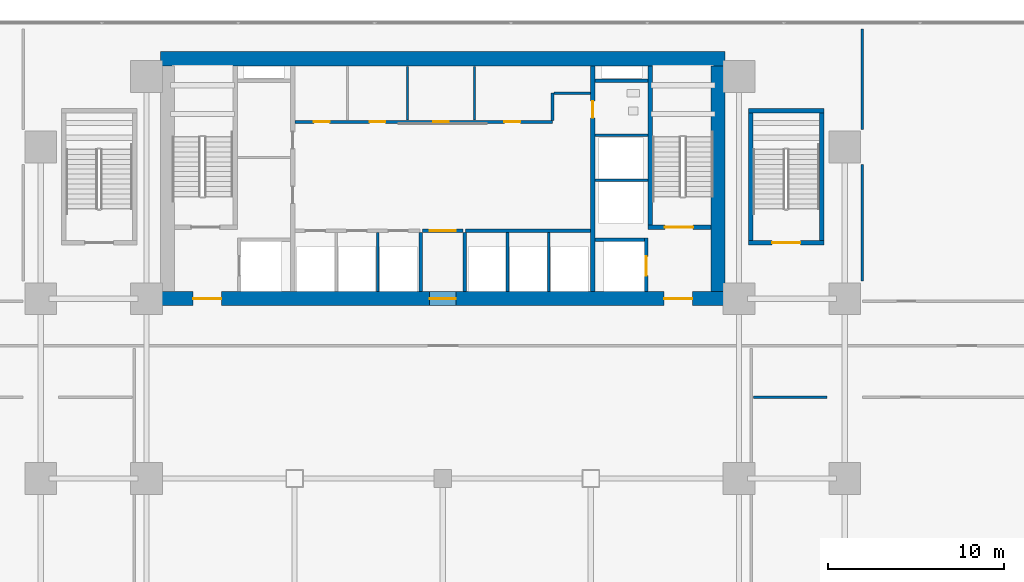
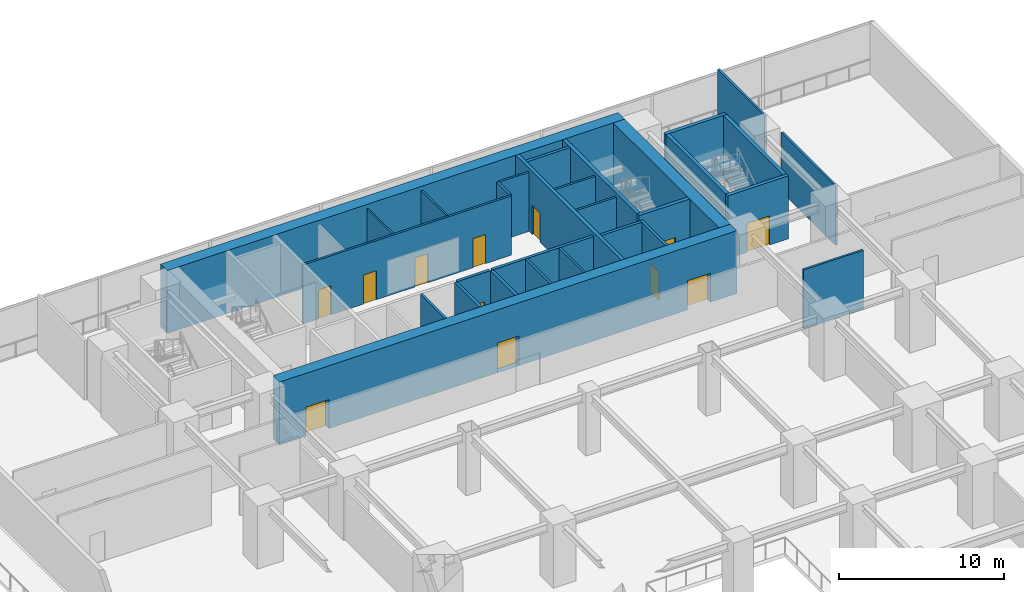
# One storey, part 10 of 17: 30 walls, 12 doors, 12 openings.
"""IFC4 building model written with IfcOpenShell, lengths in metres."""

from ifc_helpers import new_model, si_unit, direction, frame, frame_2d, origin, place, context, subcontext, project, spatial, rectangle, extrude, source, transform, mapped, material, layer, layer_set, type_object, element, fill, save


model = new_model("IFC4")

# Units and contexts
model_context = context("Model", 3, precision=1e-05, world=origin(), true_north=direction((0.0, 1.0)))
body_context = subcontext(model_context, "Body", "Model", "MODEL_VIEW")
ifc_project = project(units=[si_unit("LENGTHUNIT", "METRE"), si_unit("AREAUNIT", "SQUARE_METRE"), si_unit("VOLUMEUNIT", "CUBIC_METRE"), si_unit("PLANEANGLEUNIT", "RADIAN"), si_unit("MASSUNIT", "GRAM", prefix="KILO")], contexts=[model_context])

# Site, building, storey
site_placement = place(None, origin())
site = spatial("IfcSite", under=ifc_project, at=site_placement, CompositionType="ELEMENT")
building_placement = place(site_placement, origin())
building = spatial("IfcBuilding", under=site, at=building_placement, Name="Sumidabori Civic Tower", CompositionType="ELEMENT")
storey_placement = place(building_placement, frame((0.0, 0.0, 9.64990234375)))
storey = spatial("IfcBuildingStorey", under=building, at=storey_placement, Name="L02", CompositionType="ELEMENT", Elevation=9.64990234375)

# Wall
ifc_material_1 = material(Name="Concrete C60/75", Category="concrete")
ifc_layer_1 = layer(ifc_material_1, 0.800048828125, Name="Concrete C60/75")
ifc_layer_set_1 = layer_set([ifc_layer_1], Name="Concrete C60/75")
wall_type_1 = type_object("IfcWallType", Name="WL-CORE-800", PredefinedType="SHEAR", material=ifc_layer_set_1)
shared_shape_1 = source(origin(), body_context, "Body", "SweptSolid", [
    extrude(rectangle(XDim=32.0, YDim=0.800048828125, at=frame_2d((16.0, 0.0))), origin(), (0.0, 0.0, 1.0), 4.650146484375),
])
wall_1_placement = place(storey_placement, frame((-16.0, 23.800048828125, 0.0), z_axis=(0.0, 0.0, 1.0), x_axis=(1.0, 0.0, 0.0)))
element("IfcWall", 1, at=wall_1_placement, inside=storey, type_object=wall_type_1, Name="Core Shear Wall L02 N", PredefinedType="SHEAR", context=body_context, shape_type="MappedRepresentation", body=[
    mapped(shared_shape_1, transform((0.0, 0.0, 0.0), x_axis=(1.0, 0.0, 0.0), y_axis=(0.0, 1.0, 0.0), z_axis=(0.0, 0.0, 1.0), scale=1.0)),
])

# Wall, openings, doors
wall_2_placement = place(storey_placement, frame((-16.0, 10.199951171875, 0.0), z_axis=(0.0, 0.0, 1.0), x_axis=(1.0, 0.0, 0.0)))
wall_2 = element("IfcWall", 2, at=wall_2_placement, inside=storey, type_object=wall_type_1, Name="Core Shear Wall L02 S", PredefinedType="SHEAR", context=body_context, shape_type="MappedRepresentation", body=[
    mapped(shared_shape_1, transform((0.0, 0.0, 0.0), x_axis=(1.0, 0.0, 0.0), y_axis=(0.0, 1.0, 0.0), z_axis=(0.0, 0.0, 1.0), scale=1.0)),
])
opening_1_placement = place(wall_2_placement, frame((1.85009765625, 0.0, 0.0)))
opening_1 = element("IfcOpeningElement", 3, at=opening_1_placement, cuts=wall_2, Name="Opening DR-FD4", PredefinedType="OPENING", context=body_context, shape_type="SweptSolid", body=[
    extrude(rectangle(XDim=1.60009765625, YDim=2.14990234375, at=frame_2d((0.800048828125, 1.074951171875))), frame((0.0, 0.412109375, 0.0), z_axis=(0.0, -1.0, 0.0), x_axis=(1.0, 0.0, 0.0)), (0.0, 0.0, 1.0), 0.823974609375),
])
opening_2_placement = place(wall_2_placement, frame((28.550048828125, 0.0, 0.0)))
opening_2 = element("IfcOpeningElement", 4, at=opening_2_placement, cuts=wall_2, Name="Opening DR-FD4", PredefinedType="OPENING", context=body_context, shape_type="SweptSolid", body=[
    extrude(rectangle(XDim=1.60009765625, YDim=2.14990234375, at=frame_2d((0.800048828125, 1.074951171875))), frame((0.0, 0.412109375, 0.0), z_axis=(0.0, -1.0, 0.0), x_axis=(1.0, 0.0, 0.0)), (0.0, 0.0, 1.0), 0.823974609375),
])
opening_3_placement = place(wall_2_placement, frame((15.25, 0.0, 0.0)))
opening_3 = element("IfcOpeningElement", 5, at=opening_3_placement, cuts=wall_2, Name="Opening DR-FD3", PredefinedType="OPENING", context=body_context, shape_type="SweptSolid", body=[
    extrude(rectangle(XDim=1.5, YDim=2.199951171875, at=frame_2d((0.75, 1.10009765625))), frame((0.0, 0.412109375, 0.0), z_axis=(0.0, -1.0, 0.0), x_axis=(1.0, 0.0, 0.0)), (0.0, 0.0, 1.0), 0.823974609375),
])
ifc_material_2 = material(Name="Steel SN490", Category="steel")
door_type_1 = type_object("IfcDoorType", Name="DR-FD4", OperationType="DOUBLE_DOOR_SINGLE_SWING", PredefinedType="DOOR", material=ifc_material_2)
shared_shape_2 = source(origin(), body_context, "Body", "SweptSolid", [
    extrude(rectangle(XDim=1.60009765625, YDim=2.14990234375, at=frame_2d((0.800048828125, 1.074951171875))), frame((0.0, 0.02490234375, 0.0), z_axis=(0.0, -1.0, 0.0), x_axis=(1.0, 0.0, 0.0)), (0.0, 0.0, 1.0), 0.050048828125),
])
door_1_placement = place(opening_1_placement, origin())
door_1 = element("IfcDoor", 6, at=door_1_placement, inside=storey, type_object=door_type_1, Name="Door DR:L02:ELOB-W", OperationType="DOUBLE_DOOR_SINGLE_SWING", OverallHeight=2.14990234375, OverallWidth=1.60009765625, PredefinedType="DOOR", context=body_context, shape_type="MappedRepresentation", body=[
    mapped(shared_shape_2, transform((0.0, 0.0, 0.0), x_axis=(1.0, 0.0, 0.0), y_axis=(0.0, 1.0, 0.0), z_axis=(0.0, 0.0, 1.0), scale=1.0)),
])
fill(opening_1, door_1)
door_2_placement = place(opening_2_placement, origin())
door_2 = element("IfcDoor", 7, at=door_2_placement, inside=storey, type_object=door_type_1, Name="Door DR:L02:ELOB-E", OperationType="DOUBLE_DOOR_SINGLE_SWING", OverallHeight=2.14990234375, OverallWidth=1.60009765625, PredefinedType="DOOR", context=body_context, shape_type="MappedRepresentation", body=[
    mapped(shared_shape_2, transform((0.0, 0.0, 0.0), x_axis=(1.0, 0.0, 0.0), y_axis=(0.0, 1.0, 0.0), z_axis=(0.0, 0.0, 1.0), scale=1.0)),
])
fill(opening_2, door_2)
door_type_2 = type_object("IfcDoorType", Name="DR-FD-DBL", OperationType="DOUBLE_DOOR_SINGLE_SWING", PredefinedType="DOOR", material=ifc_material_2)
shared_shape_3 = source(origin(), body_context, "Body", "SweptSolid", [
    extrude(rectangle(XDim=1.5, YDim=2.199951171875, at=frame_2d((0.75, 1.10009765625))), frame((0.0, 0.02490234375, 0.0), z_axis=(0.0, -1.0, 0.0), x_axis=(1.0, 0.0, 0.0)), (0.0, 0.0, 1.0), 0.050048828125),
])
door_3_placement = place(opening_3_placement, origin())
door_3 = element("IfcDoor", 8, at=door_3_placement, inside=storey, type_object=door_type_2, Name="Door DR:L02:THROAT-OUT", OperationType="DOUBLE_DOOR_SINGLE_SWING", OverallHeight=2.199951171875, OverallWidth=1.5, PredefinedType="DOOR", context=body_context, shape_type="MappedRepresentation", body=[
    mapped(shared_shape_3, transform((0.0, 0.0, 0.0), x_axis=(1.0, 0.0, 0.0), y_axis=(0.0, 1.0, 0.0), z_axis=(0.0, 0.0, 1.0), scale=1.0)),
])
fill(opening_3, door_3)

# Wall
shared_shape_4 = source(origin(), body_context, "Body", "SweptSolid", [
    extrude(rectangle(XDim=12.7998046875, YDim=0.800048828125, at=frame_2d((6.39990234375, 0.0))), origin(), (0.0, 0.0, 1.0), 4.650146484375),
])
wall_3_placement = place(storey_placement, frame((15.60009765625, 10.60009765625, 0.0), z_axis=(0.0, 0.0, 1.0), x_axis=(0.0, 1.0, 0.0)))
element("IfcWall", 9, at=wall_3_placement, inside=storey, type_object=wall_type_1, Name="Core Shear Wall L02 E", PredefinedType="SHEAR", context=body_context, shape_type="MappedRepresentation", body=[
    mapped(shared_shape_4, transform((0.0, 0.0, 0.0), x_axis=(1.0, 0.0, 0.0), y_axis=(0.0, 1.0, 0.0), z_axis=(0.0, 0.0, 1.0), scale=1.0)),
])

# Wall, opening, door
ifc_material_3 = material(Name="Concrete C50/60", Category="concrete")
ifc_layer_2 = layer(ifc_material_3, 0.25, Name="Concrete C50/60")
ifc_layer_set_2 = layer_set([ifc_layer_2], Name="Concrete C50/60")
wall_type_2 = type_object("IfcWallType", Name="WL-SHAFT-250", PredefinedType="SHEAR", material=ifc_layer_set_2)
shared_shape_5 = source(origin(), body_context, "Body", "SweptSolid", [
    extrude(rectangle(XDim=12.7998046875, YDim=0.25, at=frame_2d((6.39990234375, 0.0))), origin(), (0.0, 0.0, 1.0), 4.650146484375),
])
wall_4_placement = place(storey_placement, frame((8.5, 10.60009765625, 0.0), z_axis=(0.0, 0.0, 1.0), x_axis=(0.0, 1.0, 0.0)))
wall_4 = element("IfcWall", 10, at=wall_4_placement, inside=storey, type_object=wall_type_2, Name="Core Shear Wall L02 WEB-E", PredefinedType="SHEAR", context=body_context, shape_type="MappedRepresentation", body=[
    mapped(shared_shape_5, transform((0.0, 0.0, 0.0), x_axis=(1.0, 0.0, 0.0), y_axis=(0.0, 1.0, 0.0), z_axis=(0.0, 0.0, 1.0), scale=1.0)),
])
opening_4_placement = place(wall_4_placement, frame((9.85009765625, 0.0, 0.0)))
opening_4 = element("IfcOpeningElement", 11, at=opening_4_placement, cuts=wall_4, Name="Opening DR-2", PredefinedType="OPENING", context=body_context, shape_type="SweptSolid", body=[
    extrude(rectangle(XDim=0.949951171875, YDim=2.14990234375, at=frame_2d((0.47509765625, 1.074951171875))), frame((0.0, 0.136962890625, 0.0), z_axis=(0.0, -1.0, 0.0), x_axis=(1.0, 0.0, 0.0)), (0.0, 0.0, 1.0), 0.27392578125),
])
ifc_material_4 = material(Name="Japanese Hinoki Timber", Category="wood")
door_type_3 = type_object("IfcDoorType", Name="DR-INT-950", OperationType="NOTDEFINED", PredefinedType="DOOR", material=ifc_material_4)
shared_shape_6 = source(origin(), body_context, "Body", "SweptSolid", [
    extrude(rectangle(XDim=0.949951171875, YDim=2.14990234375, at=frame_2d((0.47509765625, 1.074951171875))), frame((0.0, 0.02490234375, 0.0), z_axis=(0.0, -1.0, 0.0), x_axis=(1.0, 0.0, 0.0)), (0.0, 0.0, 1.0), 0.050048828125),
])
door_4_placement = place(opening_4_placement, origin())
door_4 = element("IfcDoor", 12, at=door_4_placement, inside=storey, type_object=door_type_3, Name="Door DR:L02:WC-ACC", OperationType="SINGLE_SWING_RIGHT", OverallHeight=2.14990234375, OverallWidth=0.949951171875, PredefinedType="DOOR", context=body_context, shape_type="MappedRepresentation", body=[
    mapped(shared_shape_6, transform((0.0, 0.0, 0.0), x_axis=(1.0, 0.0, 0.0), y_axis=(0.0, 1.0, 0.0), z_axis=(0.0, 0.0, 1.0), scale=1.0)),
])
fill(opening_4, door_4)

shared_shape_7 = source(origin(), body_context, "Body", "SweptSolid", [
    extrude(rectangle(XDim=3.554931640625, YDim=0.25, at=frame_2d((1.77734375, 0.0))), origin(), (0.0, 0.0, 1.0), 4.650146484375),
])
wall_5_placement = place(storey_placement, frame((11.64501953125, 14.25, 0.0), z_axis=(0.0, 0.0, 1.0), x_axis=(1.0, 0.0, 0.0)))
wall_5 = element("IfcWall", 13, at=wall_5_placement, inside=storey, type_object=wall_type_2, Name="Core Shear Wall L02 ST2-S", PredefinedType="SHEAR", context=body_context, shape_type="MappedRepresentation", body=[
    mapped(shared_shape_7, transform((0.0, 0.0, 0.0), x_axis=(1.0, 0.0, 0.0), y_axis=(0.0, 1.0, 0.0), z_axis=(0.0, 0.0, 1.0), scale=1.0)),
])
opening_5_placement = place(wall_5_placement, frame((0.949951171875, 0.0, 0.0)))
opening_5 = element("IfcOpeningElement", 14, at=opening_5_placement, cuts=wall_5, Name="Opening DR-FD4", PredefinedType="OPENING", context=body_context, shape_type="SweptSolid", body=[
    extrude(rectangle(XDim=1.60009765625, YDim=2.14990234375, at=frame_2d((0.800048828125, 1.074951171875))), frame((0.0, 0.136962890625, 0.0), z_axis=(0.0, -1.0, 0.0), x_axis=(1.0, 0.0, 0.0)), (0.0, 0.0, 1.0), 0.27392578125),
])
door_5_placement = place(opening_5_placement, origin())
door_5 = element("IfcDoor", 15, at=door_5_placement, inside=storey, type_object=door_type_1, Name="Door DR:L02:ST2", OperationType="DOUBLE_DOOR_SINGLE_SWING", OverallHeight=2.14990234375, OverallWidth=1.60009765625, PredefinedType="DOOR", context=body_context, shape_type="MappedRepresentation", body=[
    mapped(shared_shape_2, transform((0.0, 0.0, 0.0), x_axis=(1.0, 0.0, 0.0), y_axis=(0.0, 1.0, 0.0), z_axis=(0.0, 0.0, 1.0), scale=1.0)),
])
fill(opening_5, door_5)

# Wall
shared_shape_8 = source(origin(), body_context, "Body", "SweptSolid", [
    extrude(rectangle(XDim=9.02490234375, YDim=0.25, at=frame_2d((4.512451171875, 0.0))), origin(), (0.0, 0.0, 1.0), 4.650146484375),
])
wall_6_placement = place(storey_placement, frame((11.77001953125, 14.375, 0.0), z_axis=(0.0, 0.0, 1.0), x_axis=(0.0, 1.0, 0.0)))
element("IfcWall", 16, at=wall_6_placement, inside=storey, type_object=wall_type_2, Name="Core Shear Wall L02 ST2-W", PredefinedType="SHEAR", context=body_context, shape_type="MappedRepresentation", body=[
    mapped(shared_shape_8, transform((0.0, 0.0, 0.0), x_axis=(1.0, 0.0, 0.0), y_axis=(0.0, 1.0, 0.0), z_axis=(0.0, 0.0, 1.0), scale=1.0)),
])

# Wall, opening, door
ifc_layer_3 = layer(ifc_material_3, 0.199951171875, Name="Concrete C50/60")
ifc_layer_set_3 = layer_set([ifc_layer_3], Name="Concrete C50/60")
wall_type_3 = type_object("IfcWallType", Name="WL-SHAFT-200", PredefinedType="SHEAR", material=ifc_layer_set_3)
shared_shape_9 = source(origin(), body_context, "Body", "SweptSolid", [
    extrude(rectangle(XDim=3.0498046875, YDim=0.199951171875, at=frame_2d((1.52490234375, 0.0))), origin(), (0.0, 0.0, 1.0), 4.650146484375),
])
wall_7_placement = place(storey_placement, frame((11.550048828125, 10.60009765625, 0.0), z_axis=(0.0, 0.0, 1.0), x_axis=(0.0, 1.0, 0.0)))
wall_7 = element("IfcWall", 17, at=wall_7_placement, inside=storey, type_object=wall_type_3, Name="Core Shear Wall L02 EL2-E", PredefinedType="SHEAR", context=body_context, shape_type="MappedRepresentation", body=[
    mapped(shared_shape_9, transform((0.0, 0.0, 0.0), x_axis=(1.0, 0.0, 0.0), y_axis=(0.0, 1.0, 0.0), z_axis=(0.0, 0.0, 1.0), scale=1.0)),
])
opening_6_placement = place(wall_7_placement, frame((0.89990234375, 0.0, 0.0)))
opening_6 = element("IfcOpeningElement", 18, at=opening_6_placement, cuts=wall_7, Name="Opening LD-2", PredefinedType="OPENING", context=body_context, shape_type="SweptSolid", body=[
    extrude(rectangle(XDim=1.10009765625, YDim=2.14990234375, at=frame_2d((0.550048828125, 1.074951171875))), frame((0.0, 0.11181640625, 0.0), z_axis=(0.0, -1.0, 0.0), x_axis=(1.0, 0.0, 0.0)), (0.0, 0.0, 1.0), 0.223876953125),
])
ifc_material_5 = material(Name="Stainless Steel Hairline Finish", Category="steel")
door_type_4 = type_object("IfcDoorType", Name="DR-LD2", OperationType="DOUBLE_DOOR_SLIDING", PredefinedType="DOOR", material=ifc_material_5)
shared_shape_10 = source(origin(), body_context, "Body", "SweptSolid", [
    extrude(rectangle(XDim=1.10009765625, YDim=2.14990234375, at=frame_2d((0.550048828125, 1.074951171875))), frame((0.0, 0.02490234375, 0.0), z_axis=(0.0, -1.0, 0.0), x_axis=(1.0, 0.0, 0.0)), (0.0, 0.0, 1.0), 0.050048828125),
])
door_6_placement = place(opening_6_placement, origin())
door_6 = element("IfcDoor", 19, at=door_6_placement, inside=storey, type_object=door_type_4, Name="Door DR:L02:LD-EL2", OperationType="DOUBLE_DOOR_SLIDING", OverallHeight=2.14990234375, OverallWidth=1.10009765625, PredefinedType="DOOR", context=body_context, shape_type="MappedRepresentation", body=[
    mapped(shared_shape_10, transform((0.0, 0.0, 0.0), x_axis=(1.0, 0.0, 0.0), y_axis=(0.0, 1.0, 0.0), z_axis=(0.0, 0.0, 1.0), scale=1.0)),
])
fill(opening_6, door_6)

# Walls
shared_shape_11 = source(origin(), body_context, "Body", "SweptSolid", [
    extrude(rectangle(XDim=2.824951171875, YDim=0.199951171875, at=frame_2d((1.41259765625, 0.0))), origin(), (0.0, 0.0, 1.0), 4.650146484375),
])
wall_8_placement = place(storey_placement, frame((8.625, 13.550048828125, 0.0), z_axis=(0.0, 0.0, 1.0), x_axis=(1.0, 0.0, 0.0)))
element("IfcWall", 20, at=wall_8_placement, inside=storey, type_object=wall_type_3, Name="Core Shear Wall L02 EL2-N", PredefinedType="SHEAR", context=body_context, shape_type="MappedRepresentation", body=[
    mapped(shared_shape_11, transform((0.0, 0.0, 0.0), x_axis=(1.0, 0.0, 0.0), y_axis=(0.0, 1.0, 0.0), z_axis=(0.0, 0.0, 1.0), scale=1.0)),
])
shared_shape_12 = source(origin(), body_context, "Body", "SweptSolid", [
    extrude(rectangle(XDim=3.02001953125, YDim=0.199951171875, at=frame_2d((1.510009765625, 0.0))), origin(), (0.0, 0.0, 1.0), 4.650146484375),
])
wall_9_placement = place(storey_placement, frame((8.625, 22.550048828125, 0.0), z_axis=(0.0, 0.0, 1.0), x_axis=(1.0, 0.0, 0.0)))
element("IfcWall", 21, at=wall_9_placement, inside=storey, type_object=wall_type_3, Name="Core Shear Wall L02 RIS2-S", PredefinedType="SHEAR", context=body_context, shape_type="MappedRepresentation", body=[
    mapped(shared_shape_12, transform((0.0, 0.0, 0.0), x_axis=(1.0, 0.0, 0.0), y_axis=(0.0, 1.0, 0.0), z_axis=(0.0, 0.0, 1.0), scale=1.0)),
])
shared_shape_13 = source(origin(), body_context, "Body", "SweptSolid", [
    extrude(rectangle(XDim=4.260009765625, YDim=0.25, at=frame_2d((2.1298828125, 0.0))), origin(), (0.0, 0.0, 1.0), 4.650146484375),
])
wall_10_placement = place(storey_placement, frame((17.35009765625, 20.864990234375, 0.0), z_axis=(0.0, 0.0, 1.0), x_axis=(1.0, 0.0, 0.0)))
element("IfcWall", 22, at=wall_10_placement, inside=storey, type_object=wall_type_2, Name="Core Shear Wall L02 ST4-N", PredefinedType="SHEAR", context=body_context, shape_type="MappedRepresentation", body=[
    mapped(shared_shape_13, transform((0.0, 0.0, 0.0), x_axis=(1.0, 0.0, 0.0), y_axis=(0.0, 1.0, 0.0), z_axis=(0.0, 0.0, 1.0), scale=1.0)),
])

# Wall, opening, door
wall_11_placement = place(storey_placement, frame((17.35009765625, 13.375, 0.0), z_axis=(0.0, 0.0, 1.0), x_axis=(1.0, 0.0, 0.0)))
wall_11 = element("IfcWall", 23, at=wall_11_placement, inside=storey, type_object=wall_type_2, Name="Core Shear Wall L02 ST4-S", PredefinedType="SHEAR", context=body_context, shape_type="MappedRepresentation", body=[
    mapped(shared_shape_13, transform((0.0, 0.0, 0.0), x_axis=(1.0, 0.0, 0.0), y_axis=(0.0, 1.0, 0.0), z_axis=(0.0, 0.0, 1.0), scale=1.0)),
])
opening_7_placement = place(wall_11_placement, frame((1.330078125, 0.0, 0.0)))
opening_7 = element("IfcOpeningElement", 24, at=opening_7_placement, cuts=wall_11, Name="Opening DR-FD4", PredefinedType="OPENING", context=body_context, shape_type="SweptSolid", body=[
    extrude(rectangle(XDim=1.60009765625, YDim=2.14990234375, at=frame_2d((0.800048828125, 1.074951171875))), frame((0.0, 0.136962890625, 0.0), z_axis=(0.0, -1.0, 0.0), x_axis=(1.0, 0.0, 0.0)), (0.0, 0.0, 1.0), 0.27392578125),
])
door_7_placement = place(opening_7_placement, origin())
door_7 = element("IfcDoor", 25, at=door_7_placement, inside=storey, type_object=door_type_1, Name="Door DR:L02:ST4", OperationType="DOUBLE_DOOR_SINGLE_SWING", OverallHeight=2.14990234375, OverallWidth=1.60009765625, PredefinedType="DOOR", context=body_context, shape_type="MappedRepresentation", body=[
    mapped(shared_shape_2, transform((0.0, 0.0, 0.0), x_axis=(1.0, 0.0, 0.0), y_axis=(0.0, 1.0, 0.0), z_axis=(0.0, 0.0, 1.0), scale=1.0)),
])
fill(opening_7, door_7)

# Walls
shared_shape_14 = source(origin(), body_context, "Body", "SweptSolid", [
    extrude(rectangle(XDim=7.230224609375, YDim=0.25, at=frame_2d((3.615234375, 0.0))), origin(), (0.0, 0.0, 1.0), 4.650146484375),
])
for number, where, z_axis, x_axis, name in (
    (26, (17.47509765625, 13.5048828125, 0.0), (0.0, 0.0, 1.0), (0.0, 1.0, 0.0), "Core Shear Wall L02 ST4-W"),
    (27, (21.485107421875, 13.5048828125, 0.0), (0.0, 0.0, 1.0), (0.0, 1.0, 0.0), "Core Shear Wall L02 ST4-E"),
):
    element("IfcWall", number, at=place(storey_placement, frame(where, z_axis=z_axis, x_axis=x_axis)), inside=storey, type_object=wall_type_2, Name=name, PredefinedType="SHEAR", context=body_context, shape_type="MappedRepresentation", body=[
        mapped(shared_shape_14, transform((0.0, 0.0, 0.0), x_axis=(1.0, 0.0, 0.0), y_axis=(0.0, 1.0, 0.0), z_axis=(0.0, 0.0, 1.0), scale=1.0)),
    ])
ifc_material_6 = material(Name="Gypsum Plasterboard Acoustic Partition")
ifc_layer_4 = layer(ifc_material_6, 0.14990234375, Name="Gypsum Plasterboard Acoustic Partition")
ifc_layer_set_4 = layer_set([ifc_layer_4], Name="Gypsum Plasterboard Acoustic Partition")
wall_type_4 = type_object("IfcWallType", Name="WL-PART-150", PredefinedType="PARTITIONING", material=ifc_layer_set_4)
shared_shape_15 = source(origin(), body_context, "Body", "SweptSolid", [
    extrude(rectangle(XDim=3.010009765625, YDim=0.14990234375, at=frame_2d((1.5048828125, 0.0))), origin(), (0.0, 0.0, 1.0), 4.3701171875),
])
for number, where, z_axis, x_axis, name in (
    (28, (8.6298828125, 16.919921875, 0.0), (0.0, 0.0, 1.0), (1.0, 0.0, 0.0), "Interior Partition WL:L02:DIV-OBS1"),
    (29, (8.6298828125, 19.469970703125, 0.0), (0.0, 0.0, 1.0), (1.0, 0.0, 0.0), "Interior Partition WL:L02:DIV-OBS2"),
):
    element("IfcWall", number, at=place(storey_placement, frame(where, z_axis=z_axis, x_axis=x_axis)), inside=storey, type_object=wall_type_4, Name=name, PredefinedType="PARTITIONING", context=body_context, shape_type="MappedRepresentation", body=[
        mapped(shared_shape_15, transform((0.0, 0.0, 0.0), x_axis=(1.0, 0.0, 0.0), y_axis=(0.0, 1.0, 0.0), z_axis=(0.0, 0.0, 1.0), scale=1.0)),
    ])
ifc_material_7 = material(Name="Gypsum Plasterboard Fire Partition")
ifc_layer_5 = layer(ifc_material_7, 0.199951171875, Name="Gypsum Plasterboard Fire Partition")
ifc_layer_set_5 = layer_set([ifc_layer_5], Name="Gypsum Plasterboard Fire Partition")
wall_type_5 = type_object("IfcWallType", Name="WL-PART-FIRE", PredefinedType="PARTITIONING", material=ifc_layer_set_5)
shared_shape_16 = source(origin(), body_context, "Body", "SweptSolid", [
    extrude(rectangle(XDim=7.070068359375, YDim=0.199951171875, at=frame_2d((3.53515625, 0.0))), origin(), (0.0, 0.0, 1.0), 4.3701171875),
])
wall_12_placement = place(storey_placement, frame((1.300048828125, 14.050048828125, 0.0), z_axis=(0.0, 0.0, 1.0), x_axis=(1.0, 0.0, 0.0)))
element("IfcWall", 30, at=wall_12_placement, inside=storey, type_object=wall_type_5, Name="Interior Partition WL:L02:CBAND-SE", PredefinedType="PARTITIONING", context=body_context, shape_type="MappedRepresentation", body=[
    mapped(shared_shape_16, transform((0.0, 0.0, 0.0), x_axis=(1.0, 0.0, 0.0), y_axis=(0.0, 1.0, 0.0), z_axis=(0.0, 0.0, 1.0), scale=1.0)),
])
shared_shape_17 = source(origin(), body_context, "Body", "SweptSolid", [
    extrude(rectangle(XDim=3.33984375, YDim=0.199951171875, at=frame_2d((1.669921875, 0.0))), origin(), (0.0, 0.0, 1.0), 4.3701171875),
])
for number, where, z_axis, x_axis, name in (
    (31, (-1.25, 10.60009765625, 0.0), (0.0, 0.0, 1.0), (0.0, 1.0, 0.0), "Interior Partition WL:L02:THROAT-W"),
    (32, (1.25, 10.60009765625, 0.0), (0.0, 0.0, 1.0), (0.0, 1.0, 0.0), "Interior Partition WL:L02:THROAT-E"),
):
    element("IfcWall", number, at=place(storey_placement, frame(where, z_axis=z_axis, x_axis=x_axis)), inside=storey, type_object=wall_type_5, Name=name, PredefinedType="PARTITIONING", context=body_context, shape_type="MappedRepresentation", body=[
        mapped(shared_shape_17, transform((0.0, 0.0, 0.0), x_axis=(1.0, 0.0, 0.0), y_axis=(0.0, 1.0, 0.0), z_axis=(0.0, 0.0, 1.0), scale=1.0)),
    ])

# Wall, opening, door
shared_shape_18 = source(origin(), body_context, "Body", "SweptSolid", [
    extrude(rectangle(XDim=2.2998046875, YDim=0.199951171875, at=frame_2d((1.14990234375, 0.0))), origin(), (0.0, 0.0, 1.0), 4.3701171875),
])
wall_13_placement = place(storey_placement, frame((-1.14990234375, 14.050048828125, 0.0), z_axis=(0.0, 0.0, 1.0), x_axis=(1.0, 0.0, 0.0)))
wall_13 = element("IfcWall", 33, at=wall_13_placement, inside=storey, type_object=wall_type_5, Name="Interior Partition WL:L02:THROAT-N", PredefinedType="PARTITIONING", context=body_context, shape_type="MappedRepresentation", body=[
    mapped(shared_shape_18, transform((0.0, 0.0, 0.0), x_axis=(1.0, 0.0, 0.0), y_axis=(0.0, 1.0, 0.0), z_axis=(0.0, 0.0, 1.0), scale=1.0)),
])
opening_8_placement = place(wall_13_placement, frame((0.39990234375, 0.0, 0.0)))
opening_8 = element("IfcOpeningElement", 34, at=opening_8_placement, cuts=wall_13, Name="Opening DR-FD3", PredefinedType="OPENING", context=body_context, shape_type="SweptSolid", body=[
    extrude(rectangle(XDim=1.5, YDim=2.199951171875, at=frame_2d((0.75, 1.10009765625))), frame((0.0, 0.11181640625, 0.0), z_axis=(0.0, -1.0, 0.0), x_axis=(1.0, 0.0, 0.0)), (0.0, 0.0, 1.0), 0.223876953125),
])
door_8_placement = place(opening_8_placement, origin())
door_8 = element("IfcDoor", 35, at=door_8_placement, inside=storey, type_object=door_type_2, Name="Door DR:L02:THROAT-IN", OperationType="DOUBLE_DOOR_SINGLE_SWING", OverallHeight=2.199951171875, OverallWidth=1.5, PredefinedType="DOOR", context=body_context, shape_type="MappedRepresentation", body=[
    mapped(shared_shape_3, transform((0.0, 0.0, 0.0), x_axis=(1.0, 0.0, 0.0), y_axis=(0.0, 1.0, 0.0), z_axis=(0.0, 0.0, 1.0), scale=1.0)),
])
fill(opening_8, door_8)

# Wall, openings, doors
shared_shape_19 = source(origin(), body_context, "Body", "SweptSolid", [
    extrude(rectangle(XDim=14.590087890625, YDim=0.14990234375, at=frame_2d((7.294921875, 0.0))), origin(), (0.0, 0.0, 1.0), 4.3701171875),
])
wall_14_placement = place(storey_placement, frame((-8.3701171875, 20.219970703125, 0.0), z_axis=(0.0, 0.0, 1.0), x_axis=(1.0, 0.0, 0.0)))
wall_14 = element("IfcWall", 36, at=wall_14_placement, inside=storey, type_object=wall_type_4, Name="Interior Partition WL:L02:CBAND-M", PredefinedType="PARTITIONING", context=body_context, shape_type="MappedRepresentation", body=[
    mapped(shared_shape_19, transform((0.0, 0.0, 0.0), x_axis=(1.0, 0.0, 0.0), y_axis=(0.0, 1.0, 0.0), z_axis=(0.0, 0.0, 1.0), scale=1.0)),
])
opening_9_placement = place(wall_14_placement, frame((1.06005859375, 0.0, 0.0)))
opening_9 = element("IfcOpeningElement", 37, at=opening_9_placement, cuts=wall_14, Name="Opening DR-1", PredefinedType="OPENING", context=body_context, shape_type="SweptSolid", body=[
    extrude(rectangle(XDim=0.89990234375, YDim=2.14990234375, at=frame_2d((0.449951171875, 1.074951171875))), frame((0.0, 0.0869140625, 0.0), z_axis=(0.0, -1.0, 0.0), x_axis=(1.0, 0.0, 0.0)), (0.0, 0.0, 1.0), 0.173828125),
])
opening_10_placement = place(wall_14_placement, frame((4.219970703125, 0.0, 0.0)))
opening_10 = element("IfcOpeningElement", 38, at=opening_10_placement, cuts=wall_14, Name="Opening DR-1", PredefinedType="OPENING", context=body_context, shape_type="SweptSolid", body=[
    extrude(rectangle(XDim=0.89990234375, YDim=2.14990234375, at=frame_2d((0.449951171875, 1.074951171875))), frame((0.0, 0.0869140625, 0.0), z_axis=(0.0, -1.0, 0.0), x_axis=(1.0, 0.0, 0.0)), (0.0, 0.0, 1.0), 0.173828125),
])
opening_11_placement = place(wall_14_placement, frame((7.820068359375, 0.0, 0.0)))
opening_11 = element("IfcOpeningElement", 39, at=opening_11_placement, cuts=wall_14, Name="Opening DR-1", PredefinedType="OPENING", context=body_context, shape_type="SweptSolid", body=[
    extrude(rectangle(XDim=0.89990234375, YDim=2.14990234375, at=frame_2d((0.449951171875, 1.074951171875))), frame((0.0, 0.0869140625, 0.0), z_axis=(0.0, -1.0, 0.0), x_axis=(1.0, 0.0, 0.0)), (0.0, 0.0, 1.0), 0.173828125),
])
opening_12_placement = place(wall_14_placement, frame((11.8701171875, 0.0, 0.0)))
opening_12 = element("IfcOpeningElement", 40, at=opening_12_placement, cuts=wall_14, Name="Opening DR-1", PredefinedType="OPENING", context=body_context, shape_type="SweptSolid", body=[
    extrude(rectangle(XDim=0.89990234375, YDim=2.14990234375, at=frame_2d((0.449951171875, 1.074951171875))), frame((0.0, 0.0869140625, 0.0), z_axis=(0.0, -1.0, 0.0), x_axis=(1.0, 0.0, 0.0)), (0.0, 0.0, 1.0), 0.173828125),
])
door_type_5 = type_object("IfcDoorType", Name="DR-INT-900", OperationType="NOTDEFINED", PredefinedType="DOOR", material=ifc_material_4)
shared_shape_20 = source(origin(), body_context, "Body", "SweptSolid", [
    extrude(rectangle(XDim=0.89990234375, YDim=2.14990234375, at=frame_2d((0.449951171875, 1.074951171875))), frame((0.0, 0.02490234375, 0.0), z_axis=(0.0, -1.0, 0.0), x_axis=(1.0, 0.0, 0.0)), (0.0, 0.0, 1.0), 0.050048828125),
])
door_9_placement = place(opening_9_placement, origin())
door_9 = element("IfcDoor", 41, at=door_9_placement, inside=storey, type_object=door_type_5, Name="Door DR:L02:CB-1", OperationType="SINGLE_SWING_LEFT", OverallHeight=2.14990234375, OverallWidth=0.89990234375, PredefinedType="DOOR", context=body_context, shape_type="MappedRepresentation", body=[
    mapped(shared_shape_20, transform((0.0, 0.0, 0.0), x_axis=(1.0, 0.0, 0.0), y_axis=(0.0, 1.0, 0.0), z_axis=(0.0, 0.0, 1.0), scale=1.0)),
])
fill(opening_9, door_9)
door_10_placement = place(opening_10_placement, origin())
door_10 = element("IfcDoor", 42, at=door_10_placement, inside=storey, type_object=door_type_5, Name="Door DR:L02:CB-2", OperationType="SINGLE_SWING_RIGHT", OverallHeight=2.14990234375, OverallWidth=0.89990234375, PredefinedType="DOOR", context=body_context, shape_type="MappedRepresentation", body=[
    mapped(shared_shape_20, transform((0.0, 0.0, 0.0), x_axis=(1.0, 0.0, 0.0), y_axis=(0.0, 1.0, 0.0), z_axis=(0.0, 0.0, 1.0), scale=1.0)),
])
fill(opening_10, door_10)
door_11_placement = place(opening_11_placement, origin())
door_11 = element("IfcDoor", 43, at=door_11_placement, inside=storey, type_object=door_type_5, Name="Door DR:L02:CB-3", OperationType="SINGLE_SWING_LEFT", OverallHeight=2.14990234375, OverallWidth=0.89990234375, PredefinedType="DOOR", context=body_context, shape_type="MappedRepresentation", body=[
    mapped(shared_shape_20, transform((0.0, 0.0, 0.0), x_axis=(1.0, 0.0, 0.0), y_axis=(0.0, 1.0, 0.0), z_axis=(0.0, 0.0, 1.0), scale=1.0)),
])
fill(opening_11, door_11)
door_12_placement = place(opening_12_placement, origin())
door_12 = element("IfcDoor", 44, at=door_12_placement, inside=storey, type_object=door_type_5, Name="Door DR:L02:CB-4", OperationType="SINGLE_SWING_RIGHT", OverallHeight=2.14990234375, OverallWidth=0.89990234375, PredefinedType="DOOR", context=body_context, shape_type="MappedRepresentation", body=[
    mapped(shared_shape_20, transform((0.0, 0.0, 0.0), x_axis=(1.0, 0.0, 0.0), y_axis=(0.0, 1.0, 0.0), z_axis=(0.0, 0.0, 1.0), scale=1.0)),
])
fill(opening_12, door_12)

# Walls
shared_shape_21 = source(origin(), body_context, "Body", "SweptSolid", [
    extrude(rectangle(XDim=1.550048828125, YDim=0.14990234375, at=frame_2d((0.77490234375, 0.0))), origin(), (0.0, 0.0, 1.0), 4.3701171875),
])
wall_15_placement = place(storey_placement, frame((6.219970703125, 20.300048828125, 0.0), z_axis=(0.0, 0.0, 1.0), x_axis=(0.0, 1.0, 0.0)))
element("IfcWall", 45, at=wall_15_placement, inside=storey, type_object=wall_type_4, Name="Interior Partition WL:L02:CBAND-ME1", PredefinedType="PARTITIONING", context=body_context, shape_type="MappedRepresentation", body=[
    mapped(shared_shape_21, transform((0.0, 0.0, 0.0), x_axis=(1.0, 0.0, 0.0), y_axis=(0.0, 1.0, 0.0), z_axis=(0.0, 0.0, 1.0), scale=1.0)),
])
shared_shape_22 = source(origin(), body_context, "Body", "SweptSolid", [
    extrude(rectangle(XDim=2.070068359375, YDim=0.14990234375, at=frame_2d((1.03515625, 0.0))), origin(), (0.0, 0.0, 1.0), 4.3701171875),
])
wall_16_placement = place(storey_placement, frame((6.300048828125, 21.85009765625, 0.0), z_axis=(0.0, 0.0, 1.0), x_axis=(1.0, 0.0, 0.0)))
element("IfcWall", 46, at=wall_16_placement, inside=storey, type_object=wall_type_4, Name="Interior Partition WL:L02:CBAND-ME2", PredefinedType="PARTITIONING", context=body_context, shape_type="MappedRepresentation", body=[
    mapped(shared_shape_22, transform((0.0, 0.0, 0.0), x_axis=(1.0, 0.0, 0.0), y_axis=(0.0, 1.0, 0.0), z_axis=(0.0, 0.0, 1.0), scale=1.0)),
])
shared_shape_23 = source(origin(), body_context, "Body", "SweptSolid", [
    extrude(rectangle(XDim=3.33984375, YDim=0.14990234375, at=frame_2d((1.669921875, 0.0))), origin(), (0.0, 0.0, 1.0), 4.3701171875),
])
for number, where, z_axis, x_axis, name in (
    (47, (-3.679931640625, 10.60009765625, 0.0), (0.0, 0.0, 1.0), (0.0, 1.0, 0.0), "Interior Partition WL:L02:DIV-PLL2"),
    (48, (3.669921875, 10.60009765625, 0.0), (0.0, 0.0, 1.0), (0.0, 1.0, 0.0), "Interior Partition WL:L02:DIV-PLM1"),
    (49, (6.02001953125, 10.60009765625, 0.0), (0.0, 0.0, 1.0), (0.0, 1.0, 0.0), "Interior Partition WL:L02:DIV-PLM2"),
):
    element("IfcWall", number, at=place(storey_placement, frame(where, z_axis=z_axis, x_axis=x_axis)), inside=storey, type_object=wall_type_4, Name=name, PredefinedType="PARTITIONING", context=body_context, shape_type="MappedRepresentation", body=[
        mapped(shared_shape_23, transform((0.0, 0.0, 0.0), x_axis=(1.0, 0.0, 0.0), y_axis=(0.0, 1.0, 0.0), z_axis=(0.0, 0.0, 1.0), scale=1.0)),
    ])
ifc_layer_6 = layer(ifc_material_6, 0.1201171875, Name="Gypsum Plasterboard Acoustic Partition")
ifc_layer_set_6 = layer_set([ifc_layer_6], Name="Gypsum Plasterboard Acoustic Partition")
wall_type_6 = type_object("IfcWallType", Name="WL-PART-120", PredefinedType="PARTITIONING", material=ifc_layer_set_6)
shared_shape_24 = source(origin(), body_context, "Body", "SweptSolid", [
    extrude(rectangle(XDim=3.0400390625, YDim=0.1201171875, at=frame_2d((1.52001953125, 0.0))), origin(), (0.0, 0.0, 1.0), 4.3701171875),
])
for number, where, z_axis, x_axis, name in (
    (50, (-2.0, 20.320068359375, 0.0), (0.0, 0.0, 1.0), (0.0, 1.0, 0.0), "Interior Partition WL:L02:LV8-S2"),
    (51, (1.800048828125, 20.320068359375, 0.0), (0.0, 0.0, 1.0), (0.0, 1.0, 0.0), "Interior Partition WL:L02:LV8-S3"),
):
    element("IfcWall", number, at=place(storey_placement, frame(where, z_axis=z_axis, x_axis=x_axis)), inside=storey, type_object=wall_type_6, Name=name, PredefinedType="PARTITIONING", context=body_context, shape_type="MappedRepresentation", body=[
        mapped(shared_shape_24, transform((0.0, 0.0, 0.0), x_axis=(1.0, 0.0, 0.0), y_axis=(0.0, 1.0, 0.0), z_axis=(0.0, 0.0, 1.0), scale=1.0)),
    ])
shared_shape_25 = source(origin(), body_context, "Body", "SweptSolid", [
    extrude(rectangle(XDim=6.60009765625, YDim=0.14990234375, at=frame_2d((3.300048828125, 0.0))), origin(), (0.0, 0.0, 1.0), 4.3701171875),
])
wall_17_placement = place(storey_placement, frame((23.780029296875, 11.199951171875, 0.0), z_axis=(0.0, 0.0, 1.0), x_axis=(0.0, 1.0, 0.0)))
element("IfcWall", 52, at=wall_17_placement, inside=storey, type_object=wall_type_4, Name="Interior Partition WL:L02:NE-W1", PredefinedType="PARTITIONING", context=body_context, shape_type="MappedRepresentation", body=[
    mapped(shared_shape_25, transform((0.0, 0.0, 0.0), x_axis=(1.0, 0.0, 0.0), y_axis=(0.0, 1.0, 0.0), z_axis=(0.0, 0.0, 1.0), scale=1.0)),
])
shared_shape_26 = source(origin(), body_context, "Body", "SweptSolid", [
    extrude(rectangle(XDim=4.179931640625, YDim=0.14990234375, at=frame_2d((2.08984375, 0.0))), origin(), (0.0, 0.0, 1.0), 4.3701171875),
])
wall_18_placement = place(storey_placement, frame((17.6201171875, 4.60009765625, 0.0), z_axis=(0.0, 0.0, 1.0), x_axis=(1.0, 0.0, 0.0)))
element("IfcWall", 53, at=wall_18_placement, inside=storey, type_object=wall_type_4, Name="Interior Partition WL:L02:SUB-E1", PredefinedType="PARTITIONING", context=body_context, shape_type="MappedRepresentation", body=[
    mapped(shared_shape_26, transform((0.0, 0.0, 0.0), x_axis=(1.0, 0.0, 0.0), y_axis=(0.0, 1.0, 0.0), z_axis=(0.0, 0.0, 1.0), scale=1.0)),
])
shared_shape_27 = source(origin(), body_context, "Body", "SweptSolid", [
    extrude(rectangle(XDim=5.699951171875, YDim=0.14990234375, at=frame_2d((2.85009765625, 0.0))), origin(), (0.0, 0.0, 1.0), 4.3701171875),
])
wall_19_placement = place(storey_placement, frame((23.780029296875, 19.800048828125, 0.0), z_axis=(0.0, 0.0, 1.0), x_axis=(0.0, 1.0, 0.0)))
element("IfcWall", 54, at=wall_19_placement, inside=storey, type_object=wall_type_4, Name="Interior Partition WL:L02:NE-W2", PredefinedType="PARTITIONING", context=body_context, shape_type="MappedRepresentation", body=[
    mapped(shared_shape_27, transform((0.0, 0.0, 0.0), x_axis=(1.0, 0.0, 0.0), y_axis=(0.0, 1.0, 0.0), z_axis=(0.0, 0.0, 1.0), scale=1.0)),
])

save(model, "model.ifc")
